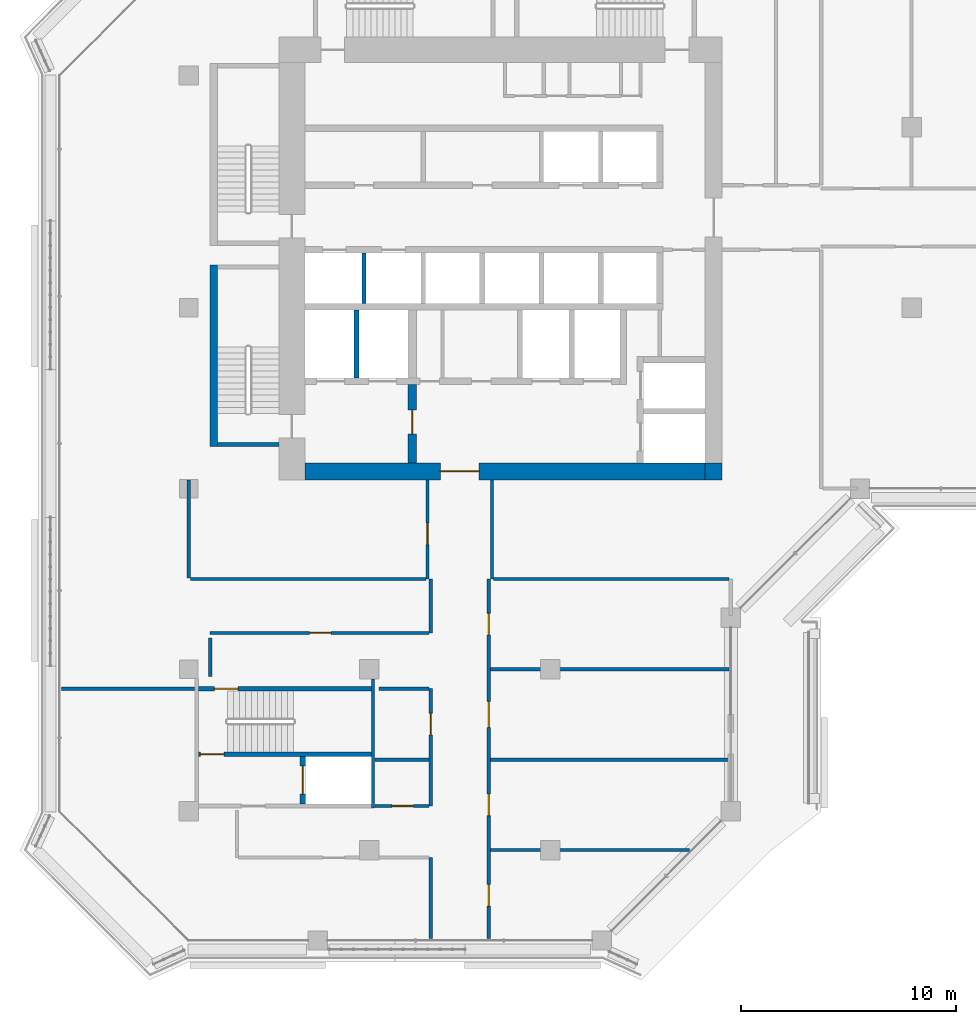
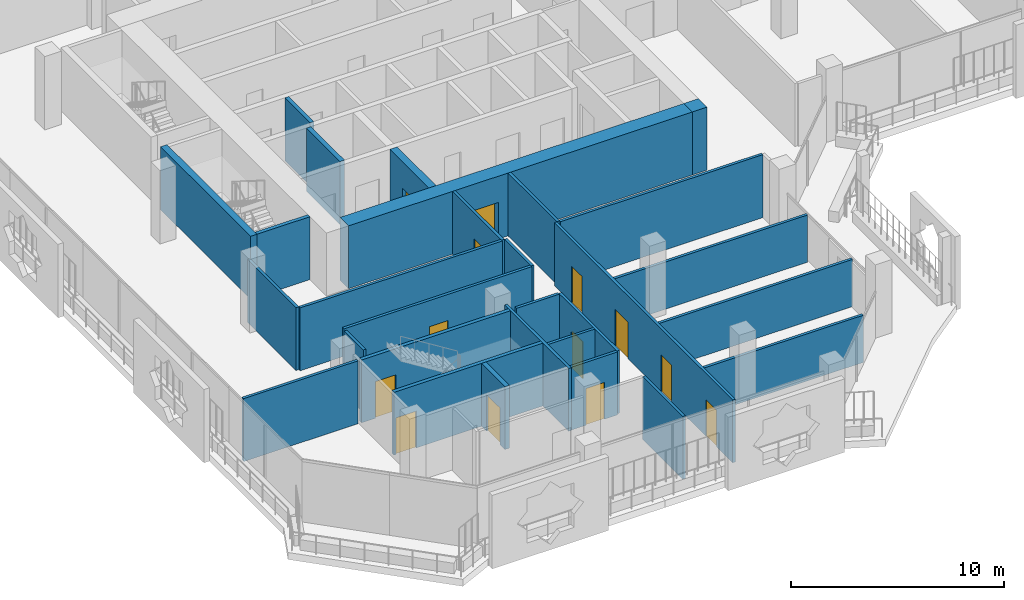
# One storey, part 10 of 21: 29 walls, 13 doors, 13 openings.
"""IFC4 building model written with IfcOpenShell, lengths in metres."""

from ifc_helpers import new_model, si_unit, direction, frame, frame_2d, origin, place, context, subcontext, project, spatial, rectangle, extrude, material, layer, layer_set, type_object, element, fill, save


model = new_model("IFC4")

# Units and contexts
model_context = context("Model", 3, precision=1e-05, world=origin(), true_north=direction((0.0, 1.0)))
body_context = subcontext(model_context, "Body", "Model", "MODEL_VIEW")
ifc_project = project(units=[si_unit("LENGTHUNIT", "METRE"), si_unit("AREAUNIT", "SQUARE_METRE"), si_unit("VOLUMEUNIT", "CUBIC_METRE"), si_unit("PLANEANGLEUNIT", "RADIAN"), si_unit("MASSUNIT", "GRAM", prefix="KILO")], contexts=[model_context])

# Site, building, storey
site_placement = place(None, origin())
site = spatial("IfcSite", under=ifc_project, at=site_placement, CompositionType="ELEMENT")
building_placement = place(site_placement, origin())
building = spatial("IfcBuilding", under=site, at=building_placement, Name="Kawkab Arch Medical Tower", CompositionType="ELEMENT")
storey_placement = place(building_placement, frame((0.0, 0.0, 234.800048828125)))
storey = spatial("IfcBuildingStorey", under=building, at=storey_placement, Name="L54", CompositionType="ELEMENT", Elevation=234.800048828125)

# Wall, opening, door
ifc_material_1 = material(Name="Concrete C50/60", Category="concrete")
ifc_layer_1 = layer(ifc_material_1, 0.800048828125)
ifc_layer_set_1 = layer_set([ifc_layer_1], Name="Concrete C50/60")
wall_type_1 = type_object("IfcWallType", Name="Core ring wall 800 C50/60", PredefinedType="SHEAR", material=ifc_layer_set_1)
wall_1_placement = place(storey_placement, frame((5.39990234375, -24.39990234375, 0.0), z_axis=(0.0, 0.0, 1.0), x_axis=(1.0, 0.0, 0.0)))
wall_1 = element("IfcWall", 1, at=wall_1_placement, inside=storey, type_object=wall_type_1, Name="L54 core wall", PredefinedType="SHEAR", context=body_context, shape_type="SweptSolid", body=[
    extrude(rectangle(XDim=18.60009765625, YDim=0.800048828125, at=frame_2d((9.300048828125, 0.0))), origin(), (0.0, 0.0, 1.0), 3.599853515625),
])
opening_1_placement = place(wall_1_placement, frame((6.300048828125, 0.0, 0.0)))
opening_1 = element("IfcOpeningElement", 2, at=opening_1_placement, cuts=wall_1, Name="Opening PD", PredefinedType="OPENING", context=body_context, shape_type="SweptSolid", body=[
    extrude(rectangle(XDim=1.800048828125, YDim=2.10009765625, at=frame_2d((0.89990234375, 1.050048828125))), frame((0.0, 0.409912109375, 0.0), z_axis=(0.0, -1.0, 0.0), x_axis=(1.0, 0.0, 0.0)), (0.0, 0.0, 1.0), 0.820068359375),
])
ifc_material_2 = material(Name="Hollow metal fire door leaf")
door_type_1 = type_object("IfcDoorType", Name="Core entrance doors 1800", OperationType="DOUBLE_DOOR_SINGLE_SWING", PredefinedType="DOOR", material=ifc_material_2)
door_1_placement = place(opening_1_placement, origin())
door_1 = element("IfcDoor", 3, at=door_1_placement, inside=storey, type_object=door_type_1, Name="L54 South entrance doors", OperationType="DOUBLE_DOOR_SINGLE_SWING", OverallHeight=2.10009765625, OverallWidth=1.800048828125, PredefinedType="DOOR", context=body_context, shape_type="SweptSolid", body=[
    extrude(rectangle(XDim=1.800048828125, YDim=2.10009765625, at=frame_2d((0.89990234375, 1.050048828125))), frame((0.0, 0.02490234375, 0.0), z_axis=(0.0, -1.0, 0.0), x_axis=(1.0, 0.0, 0.0)), (0.0, 0.0, 1.0), 0.050048828125),
])
fill(opening_1, door_1)

# Walls
wall_2_placement = place(storey_placement, frame((24.39990234375, -24.800048828125, 0.0), z_axis=(0.0, 0.0, 1.0), x_axis=(0.0, 1.0, 0.0)))
element("IfcWall", 4, at=wall_2_placement, inside=storey, type_object=wall_type_1, Name="L54 core wall", PredefinedType="SHEAR", context=body_context, shape_type="SweptSolid", body=[
    extrude(rectangle(XDim=0.800048828125, YDim=0.800048828125, at=frame_2d((0.39990234375, 0.0))), origin(), (0.0, 0.0, 1.0), 3.599853515625),
])
ifc_material_3 = material(Name="Concrete C60/75", Category="concrete")
ifc_layer_2 = layer(ifc_material_3, 0.25)
ifc_layer_set_2 = layer_set([ifc_layer_2], Name="Concrete C60/75")
wall_type_2 = type_object("IfcWallType", Name="Core shear wall 250 C60/75", PredefinedType="SHEAR", material=ifc_layer_set_2)
wall_3_placement = place(storey_placement, frame((7.800048828125, -20.050048828125, 0.0), z_axis=(0.0, 0.0, 1.0), x_axis=(0.0, 1.0, 0.0)))
element("IfcWall", 5, at=wall_3_placement, inside=storey, type_object=wall_type_2, Name="L54 core shear wall", PredefinedType="SHEAR", context=body_context, shape_type="SweptSolid", body=[
    extrude(rectangle(XDim=3.150146484375, YDim=0.25, at=frame_2d((1.5751953125, 0.0))), origin(), (0.0, 0.0, 1.0), 3.599853515625),
])

# Wall, opening, door
wall_4_placement = place(storey_placement, frame((5.300048828125, -39.85009765625, 0.0), z_axis=(0.0, 0.0, 1.0), x_axis=(0.0, 1.0, 0.0)))
wall_4 = element("IfcWall", 6, at=wall_4_placement, inside=storey, type_object=wall_type_2, Name="L54 core shear wall", PredefinedType="SHEAR", context=body_context, shape_type="SweptSolid", body=[
    extrude(rectangle(XDim=2.2001953125, YDim=0.25, at=frame_2d((1.10009765625, 0.0))), origin(), (0.0, 0.0, 1.0), 3.599853515625),
])
opening_2_placement = place(wall_4_placement, frame((0.449951171875, 0.0, 0.0)))
opening_2 = element("IfcOpeningElement", 7, at=opening_2_placement, cuts=wall_4, Name="Opening LD2", PredefinedType="OPENING", context=body_context, shape_type="SweptSolid", body=[
    extrude(rectangle(XDim=1.300048828125, YDim=2.10009765625, at=frame_2d((0.64990234375, 1.050048828125))), frame((0.0, 0.135009765625, 0.0), z_axis=(0.0, -1.0, 0.0), x_axis=(1.0, 0.0, 0.0)), (0.0, 0.0, 1.0), 0.27001953125),
])
ifc_material_4 = material(Name="Stainless steel lift door leaf", Category="steel")
door_type_2 = type_object("IfcDoorType", Name="Lift landing door 1300", OperationType="DOUBLE_DOOR_SLIDING", PredefinedType="DOOR", material=ifc_material_4)
door_2_placement = place(opening_2_placement, origin())
door_2 = element("IfcDoor", 8, at=door_2_placement, inside=storey, type_object=door_type_2, Name="L54 Lift landing door SV2", OperationType="DOUBLE_DOOR_SLIDING", OverallHeight=2.10009765625, OverallWidth=1.300048828125, PredefinedType="DOOR", context=body_context, shape_type="SweptSolid", body=[
    extrude(rectangle(XDim=1.300048828125, YDim=2.10009765625, at=frame_2d((0.64990234375, 1.050048828125))), frame((0.0, 0.02490234375, 0.0), z_axis=(0.0, -1.0, 0.0), x_axis=(1.0, 0.0, 0.0)), (0.0, 0.0, 1.0), 0.050048828125),
])
fill(opening_2, door_2)

ifc_material_5 = material(Name="Concrete C60/75", Category="concrete")
ifc_layer_3 = layer(ifc_material_5, 0.39990234375)
ifc_layer_set_3 = layer_set([ifc_layer_3], Name="Concrete C60/75")
wall_type_3 = type_object("IfcWallType", Name="Core shear wall 400 C60/75", PredefinedType="SHEAR", material=ifc_layer_set_3)
wall_5_placement = place(storey_placement, frame((10.39990234375, -24.0, 0.0), z_axis=(0.0, 0.0, 1.0), x_axis=(0.0, 1.0, 0.0)))
wall_5 = element("IfcWall", 9, at=wall_5_placement, inside=storey, type_object=wall_type_3, Name="L54 core shear wall", PredefinedType="SHEAR", context=body_context, shape_type="SweptSolid", body=[
    extrude(rectangle(XDim=3.64990234375, YDim=0.39990234375, at=frame_2d((1.824951171875, 0.0))), origin(), (0.0, 0.0, 1.0), 3.599853515625),
])
opening_3_placement = place(wall_5_placement, frame((1.35009765625, 0.0, 0.0)))
opening_3 = element("IfcOpeningElement", 10, at=opening_3_placement, cuts=wall_5, Name="Opening FD", PredefinedType="OPENING", context=body_context, shape_type="SweptSolid", body=[
    extrude(rectangle(XDim=1.10009765625, YDim=2.10009765625, at=frame_2d((0.550048828125, 1.050048828125))), frame((0.0, 0.2099609375, 0.0), z_axis=(0.0, -1.0, 0.0), x_axis=(1.0, 0.0, 0.0)), (0.0, 0.0, 1.0), 0.419921875),
])
ifc_material_6 = material(Name="Hollow metal fire door leaf")
door_type_3 = type_object("IfcDoorType", Name="Firefighting lobby door 1100", OperationType="SINGLE_SWING_LEFT", PredefinedType="DOOR", material=ifc_material_6)
door_3_placement = place(opening_3_placement, origin())
door_3 = element("IfcDoor", 11, at=door_3_placement, inside=storey, type_object=door_type_3, Name="L54 Firefighting lobby door", OperationType="SINGLE_SWING_LEFT", OverallHeight=2.10009765625, OverallWidth=1.10009765625, PredefinedType="DOOR", context=body_context, shape_type="SweptSolid", body=[
    extrude(rectangle(XDim=1.10009765625, YDim=2.10009765625, at=frame_2d((0.550048828125, 1.050048828125))), frame((0.0, 0.02490234375, 0.0), z_axis=(0.0, -1.0, 0.0), x_axis=(1.0, 0.0, 0.0)), (0.0, 0.0, 1.0), 0.050048828125),
])
fill(opening_3, door_3)

# Walls
ifc_material_7 = material(Name="Dense concrete blockwork", Category="masonry")
ifc_layer_4 = layer(ifc_material_7, 0.199951171875)
ifc_layer_set_4 = layer_set([ifc_layer_4], Name="Dense concrete blockwork")
wall_type_4 = type_object("IfcWallType", Name="Lift shaft partition 200", PredefinedType="PARTITIONING", material=ifc_layer_set_4)
wall_6_placement = place(storey_placement, frame((8.14990234375, -16.60009765625, 0.0), z_axis=(0.0, 0.0, 1.0), x_axis=(0.0, 1.0, 0.0)))
element("IfcWall", 12, at=wall_6_placement, inside=storey, type_object=wall_type_4, Name="L54 lift shaft partition", PredefinedType="PARTITIONING", context=body_context, shape_type="SweptSolid", body=[
    extrude(rectangle(XDim=2.35009765625, YDim=0.199951171875, at=frame_2d((1.175048828125, 0.0))), origin(), (0.0, 0.0, 1.0), 3.599853515625),
])
ifc_material_8 = material(Name="Gypsum board partition on steel studs, mineral wool", Category="steel")
ifc_layer_5 = layer(ifc_material_8, 0.14990234375)
ifc_layer_set_5 = layer_set([ifc_layer_5], Name="Gypsum board partition on steel studs, mineral wool")
wall_type_5 = type_object("IfcWallType", Name="Partition 150", PredefinedType="PARTITIONING", material=ifc_layer_set_5)
wall_7_placement = place(storey_placement, frame((14.02490234375, -42.0, 0.0), z_axis=(0.0, 0.0, 1.0), x_axis=(1.0, 0.0, 0.0)))
element("IfcWall", 13, at=wall_7_placement, inside=storey, type_object=wall_type_5, Name="Partition 150 w009", PredefinedType="PARTITIONING", context=body_context, shape_type="SweptSolid", body=[
    extrude(rectangle(XDim=9.26220703125, YDim=0.14990234375, at=frame_2d((4.631103515625, 0.0))), origin(), (0.0, 0.0, 1.0), 2.699951171875),
])

# Wall, opening, door
wall_8_placement = place(storey_placement, frame((8.64990234375, -39.949951171875, 0.0), z_axis=(0.0, 0.0, 1.0), x_axis=(1.0, 0.0, 0.0)))
wall_8 = element("IfcWall", 14, at=wall_8_placement, inside=storey, type_object=wall_type_5, Name="Partition 150 w010", PredefinedType="PARTITIONING", context=body_context, shape_type="SweptSolid", body=[
    extrude(rectangle(XDim=2.525146484375, YDim=0.14990234375, at=frame_2d((1.2626953125, 0.0))), origin(), (0.0, 0.0, 1.0), 3.599853515625),
])
opening_4_placement = place(wall_8_placement, frame((0.800048828125, 0.0, 0.0)))
opening_4 = element("IfcOpeningElement", 15, at=opening_4_placement, cuts=wall_8, Name="Opening W54-015", PredefinedType="OPENING", context=body_context, shape_type="SweptSolid", body=[
    extrude(rectangle(XDim=1.0, YDim=2.10009765625, at=frame_2d((0.5, 1.050048828125))), frame((0.0, 0.0849609375, 0.0), z_axis=(0.0, -1.0, 0.0), x_axis=(1.0, 0.0, 0.0)), (0.0, 0.0, 1.0), 0.169921875),
])
ifc_material_9 = material(Name="Hollow metal door leaf")
door_type_4 = type_object("IfcDoorType", Name="Single door 1000x2100 FD30S", OperationType="NOTDEFINED", PredefinedType="DOOR", material=ifc_material_9)
door_4_placement = place(opening_4_placement, origin())
door_4 = element("IfcDoor", 16, at=door_4_placement, inside=storey, type_object=door_type_4, Name="Door W54-015", OperationType="SINGLE_SWING_LEFT", OverallHeight=2.10009765625, OverallWidth=1.0, PredefinedType="DOOR", context=body_context, shape_type="SweptSolid", body=[
    extrude(rectangle(XDim=1.0, YDim=2.10009765625, at=frame_2d((0.5, 1.050048828125))), frame((0.0, 0.02490234375, 0.0), z_axis=(0.0, -1.0, 0.0), x_axis=(1.0, 0.0, 0.0)), (0.0, 0.0, 1.0), 0.050048828125),
])
fill(opening_4, door_4)

# Walls
wall_9_placement = place(storey_placement, frame((8.64990234375, -37.800048828125, 0.0), z_axis=(0.0, 0.0, 1.0), x_axis=(1.0, 0.0, 0.0)))
element("IfcWall", 17, at=wall_9_placement, inside=storey, type_object=wall_type_5, Name="Partition 150 w011", PredefinedType="PARTITIONING", context=body_context, shape_type="SweptSolid", body=[
    extrude(rectangle(XDim=2.525146484375, YDim=0.14990234375, at=frame_2d((1.2626953125, 0.0))), origin(), (0.0, 0.0, 1.0), 3.599853515625),
])
wall_10_placement = place(storey_placement, frame((14.02490234375, -37.800048828125, 0.0), z_axis=(0.0, 0.0, 1.0), x_axis=(1.0, 0.0, 0.0)))
element("IfcWall", 18, at=wall_10_placement, inside=storey, type_object=wall_type_5, Name="Partition 150 w012", PredefinedType="PARTITIONING", context=body_context, shape_type="SweptSolid", body=[
    extrude(rectangle(XDim=11.09521484375, YDim=0.14990234375, at=frame_2d((5.547607421875, 0.0))), origin(), (0.0, 0.0, 1.0), 2.699951171875),
])
wall_11_placement = place(storey_placement, frame((-5.919921875, -34.5, 0.0), z_axis=(0.0, 0.0, 1.0), x_axis=(1.0, 0.0, 0.0)))
element("IfcWall", 19, at=wall_11_placement, inside=storey, type_object=wall_type_5, Name="Partition 150 w013", PredefinedType="PARTITIONING", context=body_context, shape_type="SweptSolid", body=[
    extrude(rectangle(XDim=6.18994140625, YDim=0.14990234375, at=frame_2d((3.094970703125, 0.0))), origin(), (0.0, 0.0, 1.0), 3.599853515625),
])
wall_12_placement = place(storey_placement, frame((8.85009765625, -34.5, 0.0), z_axis=(0.0, 0.0, 1.0), x_axis=(1.0, 0.0, 0.0)))
element("IfcWall", 20, at=wall_12_placement, inside=storey, type_object=wall_type_5, Name="Partition 150 w014", PredefinedType="PARTITIONING", context=body_context, shape_type="SweptSolid", body=[
    extrude(rectangle(XDim=2.324951171875, YDim=0.14990234375, at=frame_2d((1.16259765625, 0.0))), origin(), (0.0, 0.0, 1.0), 3.599853515625),
])
wall_13_placement = place(storey_placement, frame((14.02490234375, -33.60009765625, 0.0), z_axis=(0.0, 0.0, 1.0), x_axis=(1.0, 0.0, 0.0)))
element("IfcWall", 21, at=wall_13_placement, inside=storey, type_object=wall_type_5, Name="Partition 150 w015", PredefinedType="PARTITIONING", context=body_context, shape_type="SweptSolid", body=[
    extrude(rectangle(XDim=11.09521484375, YDim=0.14990234375, at=frame_2d((5.547607421875, 0.0))), origin(), (0.0, 0.0, 1.0), 2.699951171875),
])

# Wall, opening, door
wall_14_placement = place(storey_placement, frame((1.001953125, -31.906982421875, 0.0), z_axis=(0.0, 0.0, 1.0), x_axis=(1.0, 0.0, 0.0)))
wall_14 = element("IfcWall", 22, at=wall_14_placement, inside=storey, type_object=wall_type_5, Name="Partition 150 w016", PredefinedType="PARTITIONING", context=body_context, shape_type="SweptSolid", body=[
    extrude(rectangle(XDim=10.173095703125, YDim=0.14990234375, at=frame_2d((5.08642578125, 0.0))), origin(), (0.0, 0.0, 1.0), 3.599853515625),
])
opening_5_placement = place(wall_14_placement, frame((4.6240234375, 0.0, 0.0)))
opening_5 = element("IfcOpeningElement", 23, at=opening_5_placement, cuts=wall_14, Name="Opening W54-013", PredefinedType="OPENING", context=body_context, shape_type="SweptSolid", body=[
    extrude(rectangle(XDim=1.0, YDim=2.10009765625, at=frame_2d((0.5, 1.050048828125))), frame((0.0, 0.0849609375, 0.0), z_axis=(0.0, -1.0, 0.0), x_axis=(1.0, 0.0, 0.0)), (0.0, 0.0, 1.0), 0.169921875),
])
door_5_placement = place(opening_5_placement, origin())
door_5 = element("IfcDoor", 24, at=door_5_placement, inside=storey, type_object=door_type_4, Name="Door W54-013", OperationType="SINGLE_SWING_LEFT", OverallHeight=2.10009765625, OverallWidth=1.0, PredefinedType="DOOR", context=body_context, shape_type="SweptSolid", body=[
    extrude(rectangle(XDim=1.0, YDim=2.10009765625, at=frame_2d((0.5, 1.050048828125))), frame((0.0, 0.02490234375, 0.0), z_axis=(0.0, -1.0, 0.0), x_axis=(1.0, 0.0, 0.0)), (0.0, 0.0, 1.0), 0.050048828125),
])
fill(opening_5, door_5)

# Walls
for number, where, z_axis, x_axis, name in (
    (25, (0.074951171875, -29.39990234375, 0.0), (0.0, 0.0, 1.0), (1.0, 0.0, 0.0), "Partition 150 w017"),
    (26, (14.175048828125, -29.39990234375, 0.0), (0.0, 0.0, 1.0), (1.0, 0.0, 0.0), "Partition 150 w018"),
):
    element("IfcWall", number, at=place(storey_placement, frame(where, z_axis=z_axis, x_axis=x_axis)), inside=storey, type_object=wall_type_5, Name=name, PredefinedType="PARTITIONING", context=body_context, shape_type="SweptSolid", body=[
        extrude(rectangle(XDim=10.949951171875, YDim=0.14990234375, at=frame_2d((5.47509765625, 0.0))), origin(), (0.0, 0.0, 1.0), 3.599853515625),
    ])
wall_15_placement = place(storey_placement, frame((0.0, -29.360107421875, 0.0), z_axis=(0.0, 0.0, 1.0), x_axis=(0.0, 1.0, 0.0)))
element("IfcWall", 27, at=wall_15_placement, inside=storey, type_object=wall_type_5, Name="Partition 150 w032", PredefinedType="PARTITIONING", context=body_context, shape_type="SweptSolid", body=[
    extrude(rectangle(XDim=4.56005859375, YDim=0.14990234375, at=frame_2d((2.280029296875, 0.0))), origin(), (0.0, 0.0, 1.0), 3.599853515625),
])
wall_16_placement = place(storey_placement, frame((1.0, -33.927001953125, 0.0), z_axis=(0.0, 0.0, 1.0), x_axis=(0.0, 1.0, 0.0)))
element("IfcWall", 28, at=wall_16_placement, inside=storey, type_object=wall_type_5, Name="Partition 150 w033", PredefinedType="PARTITIONING", context=body_context, shape_type="SweptSolid", body=[
    extrude(rectangle(XDim=1.787109375, YDim=0.14990234375, at=frame_2d((0.8935546875, 0.0))), origin(), (0.0, 0.0, 1.0), 3.599853515625),
])

# Wall, opening, door
wall_17_placement = place(storey_placement, frame((11.10009765625, -29.39990234375, 0.0), z_axis=(0.0, 0.0, 1.0), x_axis=(0.0, 1.0, 0.0)))
wall_17 = element("IfcWall", 29, at=wall_17_placement, inside=storey, type_object=wall_type_5, Name="Partition 150 w036", PredefinedType="PARTITIONING", context=body_context, shape_type="SweptSolid", body=[
    extrude(rectangle(XDim=4.599853515625, YDim=0.14990234375, at=frame_2d((2.2998046875, 0.0))), origin(), (0.0, 0.0, 1.0), 3.599853515625),
])
opening_6_placement = place(wall_17_placement, frame((1.60009765625, 0.0, 0.0)))
opening_6 = element("IfcOpeningElement", 30, at=opening_6_placement, cuts=wall_17, Name="Opening W54-012", PredefinedType="OPENING", context=body_context, shape_type="SweptSolid", body=[
    extrude(rectangle(XDim=1.0, YDim=2.10009765625, at=frame_2d((0.5, 1.050048828125))), frame((0.0, 0.0849609375, 0.0), z_axis=(0.0, -1.0, 0.0), x_axis=(1.0, 0.0, 0.0)), (0.0, 0.0, 1.0), 0.169921875),
])
door_6_placement = place(opening_6_placement, origin())
door_6 = element("IfcDoor", 31, at=door_6_placement, inside=storey, type_object=door_type_4, Name="Door W54-012", OperationType="SINGLE_SWING_RIGHT", OverallHeight=2.10009765625, OverallWidth=1.0, PredefinedType="DOOR", context=body_context, shape_type="SweptSolid", body=[
    extrude(rectangle(XDim=1.0, YDim=2.10009765625, at=frame_2d((0.5, 1.050048828125))), frame((0.0, 0.02490234375, 0.0), z_axis=(0.0, -1.0, 0.0), x_axis=(1.0, 0.0, 0.0)), (0.0, 0.0, 1.0), 0.050048828125),
])
fill(opening_6, door_6)

# Wall
wall_18_placement = place(storey_placement, frame((11.25, -46.1201171875, 0.0), z_axis=(0.0, 0.0, 1.0), x_axis=(0.0, 1.0, 0.0)))
element("IfcWall", 32, at=wall_18_placement, inside=storey, type_object=wall_type_5, Name="Partition 150 w037", PredefinedType="PARTITIONING", context=body_context, shape_type="SweptSolid", body=[
    extrude(rectangle(XDim=3.77001953125, YDim=0.14990234375, at=frame_2d((1.885009765625, 0.0))), origin(), (0.0, 0.0, 1.0), 3.599853515625),
])

# Wall, opening, door
wall_19_placement = place(storey_placement, frame((11.25, -39.949951171875, 0.0), z_axis=(0.0, 0.0, 1.0), x_axis=(0.0, 1.0, 0.0)))
wall_19 = element("IfcWall", 33, at=wall_19_placement, inside=storey, type_object=wall_type_5, Name="Partition 150 w038", PredefinedType="PARTITIONING", context=body_context, shape_type="SweptSolid", body=[
    extrude(rectangle(XDim=5.449951171875, YDim=0.14990234375, at=frame_2d((2.72509765625, 0.0))), origin(), (0.0, 0.0, 1.0), 3.599853515625),
])
opening_7_placement = place(wall_19_placement, frame((3.300048828125, 0.0, 0.0)))
opening_7 = element("IfcOpeningElement", 34, at=opening_7_placement, cuts=wall_19, Name="Opening W54-014", PredefinedType="OPENING", context=body_context, shape_type="SweptSolid", body=[
    extrude(rectangle(XDim=1.0, YDim=2.10009765625, at=frame_2d((0.5, 1.050048828125))), frame((0.0, 0.0849609375, 0.0), z_axis=(0.0, -1.0, 0.0), x_axis=(1.0, 0.0, 0.0)), (0.0, 0.0, 1.0), 0.169921875),
])
door_7_placement = place(opening_7_placement, origin())
door_7 = element("IfcDoor", 35, at=door_7_placement, inside=storey, type_object=door_type_4, Name="Door W54-014", OperationType="SINGLE_SWING_RIGHT", OverallHeight=2.10009765625, OverallWidth=1.0, PredefinedType="DOOR", context=body_context, shape_type="SweptSolid", body=[
    extrude(rectangle(XDim=1.0, YDim=2.10009765625, at=frame_2d((0.5, 1.050048828125))), frame((0.0, 0.02490234375, 0.0), z_axis=(0.0, -1.0, 0.0), x_axis=(1.0, 0.0, 0.0)), (0.0, 0.0, 1.0), 0.050048828125),
])
fill(opening_7, door_7)

# Wall
wall_20_placement = place(storey_placement, frame((11.25, -31.906982421875, 0.0), z_axis=(0.0, 0.0, 1.0), x_axis=(0.0, 1.0, 0.0)))
element("IfcWall", 36, at=wall_20_placement, inside=storey, type_object=wall_type_5, Name="Partition 150 w039", PredefinedType="PARTITIONING", context=body_context, shape_type="SweptSolid", body=[
    extrude(rectangle(XDim=2.507080078125, YDim=0.14990234375, at=frame_2d((1.25341796875, 0.0))), origin(), (0.0, 0.0, 1.0), 3.599853515625),
])

# Wall, openings, doors
wall_21_placement = place(storey_placement, frame((13.949951171875, -46.1201171875, 0.0), z_axis=(0.0, 0.0, 1.0), x_axis=(0.0, 1.0, 0.0)))
wall_21 = element("IfcWall", 37, at=wall_21_placement, inside=storey, type_object=wall_type_5, Name="Partition 150 w040", PredefinedType="PARTITIONING", context=body_context, shape_type="SweptSolid", body=[
    extrude(rectangle(XDim=16.72021484375, YDim=0.14990234375, at=frame_2d((8.360107421875, 0.0))), origin(), (0.0, 0.0, 1.0), 3.599853515625),
])
opening_8_placement = place(wall_21_placement, frame((14.1201171875, 0.0, 0.0)))
opening_8 = element("IfcOpeningElement", 38, at=opening_8_placement, cuts=wall_21, Name="Opening W54-017", PredefinedType="OPENING", context=body_context, shape_type="SweptSolid", body=[
    extrude(rectangle(XDim=1.0, YDim=2.10009765625, at=frame_2d((0.5, 1.050048828125))), frame((0.0, 0.0849609375, 0.0), z_axis=(0.0, -1.0, 0.0), x_axis=(1.0, 0.0, 0.0)), (0.0, 0.0, 1.0), 0.169921875),
])
opening_9_placement = place(wall_21_placement, frame((9.820068359375, 0.0, 0.0)))
opening_9 = element("IfcOpeningElement", 39, at=opening_9_placement, cuts=wall_21, Name="Opening W54-027", PredefinedType="OPENING", context=body_context, shape_type="SweptSolid", body=[
    extrude(rectangle(XDim=1.199951171875, YDim=2.10009765625, at=frame_2d((0.60009765625, 1.050048828125))), frame((0.0, 0.0849609375, 0.0), z_axis=(0.0, -1.0, 0.0), x_axis=(1.0, 0.0, 0.0)), (0.0, 0.0, 1.0), 0.169921875),
])
opening_10_placement = place(wall_21_placement, frame((5.719970703125, 0.0, 0.0)))
opening_10 = element("IfcOpeningElement", 40, at=opening_10_placement, cuts=wall_21, Name="Opening W54-018", PredefinedType="OPENING", context=body_context, shape_type="SweptSolid", body=[
    extrude(rectangle(XDim=1.0, YDim=2.10009765625, at=frame_2d((0.5, 1.050048828125))), frame((0.0, 0.0849609375, 0.0), z_axis=(0.0, -1.0, 0.0), x_axis=(1.0, 0.0, 0.0)), (0.0, 0.0, 1.0), 0.169921875),
])
opening_11_placement = place(wall_21_placement, frame((1.52001953125, 0.0, 0.0)))
opening_11 = element("IfcOpeningElement", 41, at=opening_11_placement, cuts=wall_21, Name="Opening W54-019", PredefinedType="OPENING", context=body_context, shape_type="SweptSolid", body=[
    extrude(rectangle(XDim=1.0, YDim=2.10009765625, at=frame_2d((0.5, 1.050048828125))), frame((0.0, 0.0849609375, 0.0), z_axis=(0.0, -1.0, 0.0), x_axis=(1.0, 0.0, 0.0)), (0.0, 0.0, 1.0), 0.169921875),
])
door_8_placement = place(opening_8_placement, origin())
door_8 = element("IfcDoor", 42, at=door_8_placement, inside=storey, type_object=door_type_4, Name="Door W54-017", OperationType="SINGLE_SWING_LEFT", OverallHeight=2.10009765625, OverallWidth=1.0, PredefinedType="DOOR", context=body_context, shape_type="SweptSolid", body=[
    extrude(rectangle(XDim=1.0, YDim=2.10009765625, at=frame_2d((0.5, 1.050048828125))), frame((0.0, 0.02490234375, 0.0), z_axis=(0.0, -1.0, 0.0), x_axis=(1.0, 0.0, 0.0)), (0.0, 0.0, 1.0), 0.050048828125),
])
fill(opening_8, door_8)
door_9_placement = place(opening_10_placement, origin())
door_9 = element("IfcDoor", 43, at=door_9_placement, inside=storey, type_object=door_type_4, Name="Door W54-018", OperationType="SINGLE_SWING_RIGHT", OverallHeight=2.10009765625, OverallWidth=1.0, PredefinedType="DOOR", context=body_context, shape_type="SweptSolid", body=[
    extrude(rectangle(XDim=1.0, YDim=2.10009765625, at=frame_2d((0.5, 1.050048828125))), frame((0.0, 0.02490234375, 0.0), z_axis=(0.0, -1.0, 0.0), x_axis=(1.0, 0.0, 0.0)), (0.0, 0.0, 1.0), 0.050048828125),
])
fill(opening_10, door_9)
door_10_placement = place(opening_11_placement, origin())
door_10 = element("IfcDoor", 44, at=door_10_placement, inside=storey, type_object=door_type_4, Name="Door W54-019", OperationType="SINGLE_SWING_RIGHT", OverallHeight=2.10009765625, OverallWidth=1.0, PredefinedType="DOOR", context=body_context, shape_type="SweptSolid", body=[
    extrude(rectangle(XDim=1.0, YDim=2.10009765625, at=frame_2d((0.5, 1.050048828125))), frame((0.0, 0.02490234375, 0.0), z_axis=(0.0, -1.0, 0.0), x_axis=(1.0, 0.0, 0.0)), (0.0, 0.0, 1.0), 0.050048828125),
])
fill(opening_11, door_10)
ifc_material_10 = material(Name="Hollow metal door leaf")
door_type_5 = type_object("IfcDoorType", Name="Single door 1200x2100 FD30S", OperationType="NOTDEFINED", PredefinedType="DOOR", material=ifc_material_10)
door_11_placement = place(opening_9_placement, origin())
door_11 = element("IfcDoor", 45, at=door_11_placement, inside=storey, type_object=door_type_5, Name="Door W54-027", OperationType="SINGLE_SWING_LEFT", OverallHeight=2.10009765625, OverallWidth=1.199951171875, PredefinedType="DOOR", context=body_context, shape_type="SweptSolid", body=[
    extrude(rectangle(XDim=1.199951171875, YDim=2.10009765625, at=frame_2d((0.60009765625, 1.050048828125))), frame((0.0, 0.02490234375, 0.0), z_axis=(0.0, -1.0, 0.0), x_axis=(1.0, 0.0, 0.0)), (0.0, 0.0, 1.0), 0.050048828125),
])
fill(opening_9, door_11)

# Walls
wall_22_placement = place(storey_placement, frame((14.10009765625, -29.39990234375, 0.0), z_axis=(0.0, 0.0, 1.0), x_axis=(0.0, 1.0, 0.0)))
element("IfcWall", 46, at=wall_22_placement, inside=storey, type_object=wall_type_5, Name="Partition 150 w041", PredefinedType="PARTITIONING", context=body_context, shape_type="SweptSolid", body=[
    extrude(rectangle(XDim=4.599853515625, YDim=0.14990234375, at=frame_2d((2.2998046875, 0.0))), origin(), (0.0, 0.0, 1.0), 3.599853515625),
])
ifc_material_11 = material(Name="Concrete C50/60", Category="concrete")
ifc_layer_6 = layer(ifc_material_11, 0.14990234375)
ifc_layer_set_6 = layer_set([ifc_layer_6], Name="Concrete C50/60")
wall_type_6 = type_object("IfcWallType", Name="Stair enclosure wall 150 C50/60", PredefinedType="SHEAR", material=ifc_layer_set_6)
wall_23_placement = place(storey_placement, frame((8.574951171875, -40.050048828125, 0.0), z_axis=(0.0, 0.0, 1.0), x_axis=(0.0, 1.0, 0.0)))
element("IfcWall", 47, at=wall_23_placement, inside=storey, type_object=wall_type_6, Name="L54 stair enclosure wall", PredefinedType="SHEAR", context=body_context, shape_type="SweptSolid", body=[
    extrude(rectangle(XDim=6.0, YDim=0.14990234375, at=frame_2d((3.0, 0.0))), origin(), (0.0, 0.0, 1.0), 3.599853515625),
])
ifc_material_12 = material(Name="Concrete C50/60", Category="concrete")
ifc_layer_7 = layer(ifc_material_12, 0.199951171875)
ifc_layer_set_7 = layer_set([ifc_layer_7], Name="Concrete C50/60")
wall_type_7 = type_object("IfcWallType", Name="Stair enclosure wall 200 C50/60", PredefinedType="SHEAR", material=ifc_layer_set_7)
wall_24_placement = place(storey_placement, frame((1.35009765625, -23.14990234375, 0.0), z_axis=(0.0, 0.0, 1.0), x_axis=(1.0, 0.0, 0.0)))
element("IfcWall", 48, at=wall_24_placement, inside=storey, type_object=wall_type_7, Name="L54 stair enclosure wall", PredefinedType="SHEAR", context=body_context, shape_type="SweptSolid", body=[
    extrude(rectangle(XDim=2.849853515625, YDim=0.199951171875, at=frame_2d((1.4248046875, 0.0))), origin(), (0.0, 0.0, 1.0), 3.599853515625),
])

# Wall, opening, door
wall_25_placement = place(storey_placement, frame((0.449951171875, -34.5, 0.0), z_axis=(0.0, 0.0, 1.0), x_axis=(1.0, 0.0, 0.0)))
wall_25 = element("IfcWall", 49, at=wall_25_placement, inside=storey, type_object=wall_type_7, Name="L54 stair enclosure wall", PredefinedType="SHEAR", context=body_context, shape_type="SweptSolid", body=[
    extrude(rectangle(XDim=8.050048828125, YDim=0.199951171875, at=frame_2d((4.02490234375, 0.0))), origin(), (0.0, 0.0, 1.0), 3.599853515625),
])
opening_12_placement = place(wall_25_placement, frame((0.75, 0.0, 0.0)))
opening_12 = element("IfcOpeningElement", 50, at=opening_12_placement, cuts=wall_25, Name="Opening SD", PredefinedType="OPENING", context=body_context, shape_type="SweptSolid", body=[
    extrude(rectangle(XDim=1.10009765625, YDim=2.10009765625, at=frame_2d((0.550048828125, 1.050048828125))), frame((0.0, 0.10986328125, 0.0), z_axis=(0.0, -1.0, 0.0), x_axis=(1.0, 0.0, 0.0)), (0.0, 0.0, 1.0), 0.219970703125),
])
ifc_material_13 = material(Name="Hollow metal fire door leaf")
door_type_6 = type_object("IfcDoorType", Name="Exit stair door 1100", OperationType="SINGLE_SWING_LEFT", PredefinedType="DOOR", material=ifc_material_13)
door_12_placement = place(opening_12_placement, origin())
door_12 = element("IfcDoor", 51, at=door_12_placement, inside=storey, type_object=door_type_6, Name="L54 Exit stair ST6 door", OperationType="SINGLE_SWING_LEFT", OverallHeight=2.10009765625, OverallWidth=1.10009765625, PredefinedType="DOOR", context=body_context, shape_type="SweptSolid", body=[
    extrude(rectangle(XDim=1.10009765625, YDim=2.10009765625, at=frame_2d((0.550048828125, 1.050048828125))), frame((0.0, 0.02490234375, 0.0), z_axis=(0.0, -1.0, 0.0), x_axis=(1.0, 0.0, 0.0)), (0.0, 0.0, 1.0), 0.050048828125),
])
fill(opening_12, door_12)

wall_26_placement = place(storey_placement, frame((0.449951171875, -37.550048828125, 0.0), z_axis=(0.0, 0.0, 1.0), x_axis=(1.0, 0.0, 0.0)))
wall_26 = element("IfcWall", 52, at=wall_26_placement, inside=storey, type_object=wall_type_7, Name="L54 stair enclosure wall", PredefinedType="SHEAR", context=body_context, shape_type="SweptSolid", body=[
    extrude(rectangle(XDim=8.050048828125, YDim=0.199951171875, at=frame_2d((4.02490234375, 0.0))), origin(), (0.0, 0.0, 1.0), 3.599853515625),
])
opening_13_placement = place(wall_26_placement, frame((0.10009765625, 0.0, 0.0)))
opening_13 = element("IfcOpeningElement", 53, at=opening_13_placement, cuts=wall_26, Name="Opening SD", PredefinedType="OPENING", context=body_context, shape_type="SweptSolid", body=[
    extrude(rectangle(XDim=1.10009765625, YDim=2.10009765625, at=frame_2d((0.550048828125, 1.050048828125))), frame((0.0, 0.10986328125, 0.0), z_axis=(0.0, -1.0, 0.0), x_axis=(1.0, 0.0, 0.0)), (0.0, 0.0, 1.0), 0.219970703125),
])
door_13_placement = place(opening_13_placement, frame((1.10009765625, 0.0, 0.0), z_axis=(0.0, 0.0, 1.0), x_axis=(-1.0, 0.0, 0.0)))
door_13 = element("IfcDoor", 54, at=door_13_placement, inside=storey, type_object=door_type_6, Name="L54 Exit stair ST6 lobby door", OperationType="SINGLE_SWING_LEFT", OverallHeight=2.10009765625, OverallWidth=1.10009765625, PredefinedType="DOOR", context=body_context, shape_type="SweptSolid", body=[
    extrude(rectangle(XDim=1.10009765625, YDim=2.10009765625, at=frame_2d((0.550048828125, 1.050048828125))), frame((0.0, 0.02490234375, 0.0), z_axis=(0.0, -1.0, 0.0), x_axis=(1.0, 0.0, 0.0)), (0.0, 0.0, 1.0), 0.050048828125),
])
fill(opening_13, door_13)

# Wall
ifc_material_14 = material(Name="Concrete C50/60", Category="concrete")
ifc_layer_8 = layer(ifc_material_14, 0.35009765625)
ifc_layer_set_8 = layer_set([ifc_layer_8], Name="Concrete C50/60")
wall_type_8 = type_object("IfcWallType", Name="Stair enclosure wall 350 C50/60", PredefinedType="SHEAR", material=ifc_layer_set_8)
wall_27_placement = place(storey_placement, frame((1.175048828125, -23.25, 0.0), z_axis=(0.0, 0.0, 1.0), x_axis=(0.0, 1.0, 0.0)))
element("IfcWall", 55, at=wall_27_placement, inside=storey, type_object=wall_type_8, Name="L54 stair enclosure wall", PredefinedType="SHEAR", context=body_context, shape_type="SweptSolid", body=[
    extrude(rectangle(XDim=8.449951171875, YDim=0.35009765625, at=frame_2d((4.22509765625, 0.0))), origin(), (0.0, 0.0, 1.0), 3.599853515625),
])

save(model, "model.ifc")
